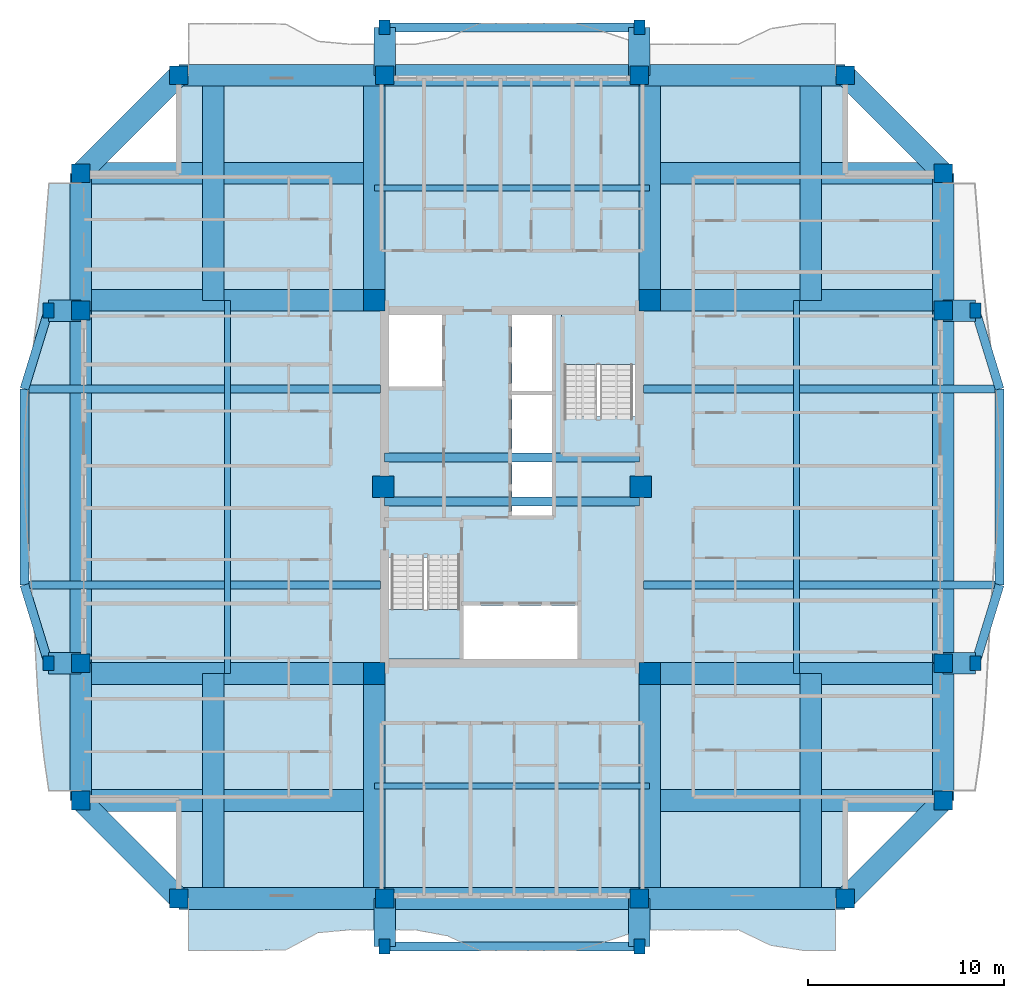
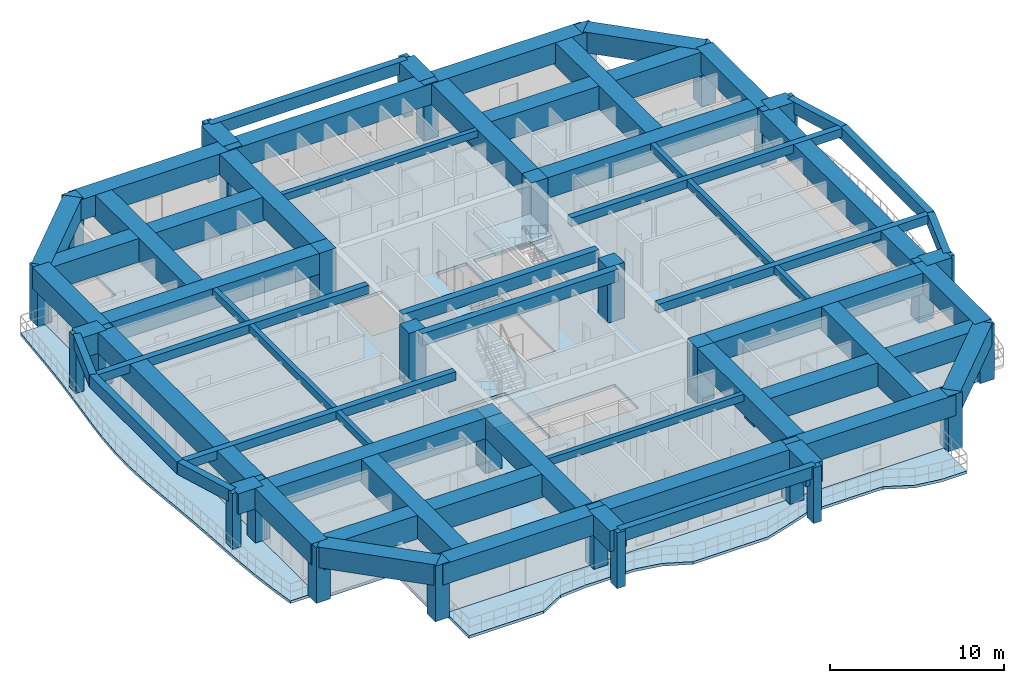
# One storey, part 1 of 15: 58 beams, 30 columns, 5 slabs, 2 elements without a shape of their own.
"""IFC4 building model written with IfcOpenShell, lengths in metres."""

from ifc_helpers import new_model, si_unit, direction, frame, origin, origin_2d, place, context, subcontext, project, spatial, polyline, rectangle, outline, extrude, source, transform, mapped, material, layer, layer_set, material_profile, profile_set, type_object, element, aggregate, save


model = new_model("IFC4")

# Units and contexts
model_context = context("Model", 3, precision=1e-05, world=origin(), true_north=direction((0.0, 1.0)))
body_context = subcontext(model_context, "Body", "Model", "MODEL_VIEW")
ifc_project = project(units=[si_unit("LENGTHUNIT", "METRE"), si_unit("AREAUNIT", "SQUARE_METRE"), si_unit("VOLUMEUNIT", "CUBIC_METRE"), si_unit("PLANEANGLEUNIT", "RADIAN"), si_unit("MASSUNIT", "GRAM", prefix="KILO")], contexts=[model_context])

# Site, building, storey
site_placement = place(None, origin())
site = spatial("IfcSite", under=ifc_project, at=site_placement, CompositionType="ELEMENT")
building_placement = place(site_placement, origin())
building = spatial("IfcBuilding", under=site, at=building_placement, Name="Saelheon Loggia Tower", CompositionType="ELEMENT")
storey_placement = place(building_placement, frame((0.0, 0.0, 169.0)))
storey = spatial("IfcBuildingStorey", under=building, at=storey_placement, Name="L53", CompositionType="ELEMENT", Elevation=169.0)

# Columns
ifc_material_1 = material(Name="Concrete C50/60", Category="concrete")
ifc_material_profile_1 = material_profile(ifc_material_1, rectangle(XDim=0.949951171875, YDim=0.949951171875, at=origin_2d()), Name="RC-950x950")
ifc_profile_set_1 = profile_set([ifc_material_profile_1], Name="Concrete C50/60")
column_type_1 = type_object("IfcColumnType", Name="Col_Perim_RC950", PredefinedType="COLUMN", material=ifc_profile_set_1)
shared_shape_1 = source(origin(), body_context, "Body", "SweptSolid", [
    extrude(rectangle(XDim=0.949951171875, YDim=0.949951171875, at=origin_2d()), origin(), (0.0, 0.0, 1.0), 3.89990234375),
])
for number, where, z_axis, x_axis, name in (
    (1, (21.0, 6.0, 0.0), (0.0, 0.0, 1.0), (1.0, 0.0, 0.0), "L53 Perimeter Column TP-S1"),
    (2, (31.5, 6.0, 0.0), (0.0, 0.0, 1.0), (1.0, 0.0, 0.0), "L53 Perimeter Column TP-SA"),
    (3, (44.5, 6.0, 0.0), (0.0, 0.0, 1.0), (1.0, 0.0, 0.0), "L53 Perimeter Column TP-SB"),
    (4, (55.0, 6.0, 0.0), (0.0, 0.0, 1.0), (1.0, 0.0, 0.0), "L53 Perimeter Column TP-S2"),
    (5, (60.0, 11.0, 0.0), (0.0, 0.0, 1.0), (1.0, 0.0, 0.0), "L53 Perimeter Column TP-E1"),
    (6, (60.0, 18.0, 0.0), (0.0, 0.0, 1.0), (1.0, 0.0, 0.0), "L53 Perimeter Column TP-EA"),
    (7, (60.0, 36.0, 0.0), (0.0, 0.0, 1.0), (1.0, 0.0, 0.0), "L53 Perimeter Column TP-EB"),
    (8, (60.0, 43.0, 0.0), (0.0, 0.0, 1.0), (1.0, 0.0, 0.0), "L53 Perimeter Column TP-E2"),
    (9, (55.0, 48.0, 0.0), (0.0, 0.0, 1.0), (1.0, 0.0, 0.0), "L53 Perimeter Column TP-N2"),
    (10, (44.5, 48.0, 0.0), (0.0, 0.0, 1.0), (1.0, 0.0, 0.0), "L53 Perimeter Column TP-NB"),
    (11, (31.5, 48.0, 0.0), (0.0, 0.0, 1.0), (1.0, 0.0, 0.0), "L53 Perimeter Column TP-NA"),
    (12, (21.0, 48.0, 0.0), (0.0, 0.0, 1.0), (1.0, 0.0, 0.0), "L53 Perimeter Column TP-N1"),
    (13, (16.0, 43.0, 0.0), (0.0, 0.0, 1.0), (1.0, 0.0, 0.0), "L53 Perimeter Column TP-W2"),
    (14, (16.0, 36.0, 0.0), (0.0, 0.0, 1.0), (1.0, 0.0, 0.0), "L53 Perimeter Column TP-WB"),
    (15, (16.0, 18.0, 0.0), (0.0, 0.0, 1.0), (1.0, 0.0, 0.0), "L53 Perimeter Column TP-WA"),
    (16, (16.0, 11.0, 0.0), (0.0, 0.0, 1.0), (1.0, 0.0, 0.0), "L53 Perimeter Column TP-W1"),
):
    element("IfcColumn", number, at=place(storey_placement, frame(where, z_axis=z_axis, x_axis=x_axis)), inside=storey, type_object=column_type_1, Name=name, PredefinedType="COLUMN", context=body_context, shape_type="MappedRepresentation", body=[
        mapped(shared_shape_1, transform((0.0, 0.0, 0.0), scale=1.0)),
    ])
ifc_material_2 = material(Name="Precast Concrete C45/55", Category="concrete")
ifc_material_profile_2 = material_profile(ifc_material_2, rectangle(XDim=0.550048828125, YDim=0.75, at=origin_2d()), Name="RC-550x750")
ifc_profile_set_2 = profile_set([ifc_material_profile_2], Name="Precast Concrete C45/55")
column_type_2 = type_object("IfcColumnType", Name="Col_Loggia_Pilaster_750", PredefinedType="PILASTER", material=ifc_profile_set_2)
shared_shape_2 = source(origin(), body_context, "Body", "SweptSolid", [
    extrude(rectangle(XDim=0.550048828125, YDim=0.75, at=origin_2d()), origin(), (0.0, 0.0, 1.0), 3.89990234375),
])
for number, where, z_axis, x_axis, name in (
    (17, (31.5, 3.550048828125, 0.0), (0.0, 0.0, 1.0), (1.0, 0.0, 0.0), "L53 Loggia Frame Pilaster LP-S1"),
    (18, (44.5, 3.550048828125, 0.0), (0.0, 0.0, 1.0), (1.0, 0.0, 0.0), "L53 Loggia Frame Pilaster LP-S2"),
    (19, (31.5, 50.449951171875, 0.0), (0.0, 0.0, 1.0), (1.0, 0.0, 0.0), "L53 Loggia Frame Pilaster LP-N1"),
    (20, (44.5, 50.449951171875, 0.0), (0.0, 0.0, 1.0), (1.0, 0.0, 0.0), "L53 Loggia Frame Pilaster LP-N2"),
    (21, (61.64990234375, 18.0, 0.0), (0.0, 0.0, 1.0), (1.0, 0.0, 0.0), "L53 Loggia Frame Pilaster LP-E1"),
    (22, (61.64990234375, 36.0, 0.0), (0.0, 0.0, 1.0), (1.0, 0.0, 0.0), "L53 Loggia Frame Pilaster LP-E2"),
    (23, (14.35009765625, 18.0, 0.0), (0.0, 0.0, 1.0), (1.0, 0.0, 0.0), "L53 Loggia Frame Pilaster LP-W1"),
    (24, (14.35009765625, 36.0, 0.0), (0.0, 0.0, 1.0), (1.0, 0.0, 0.0), "L53 Loggia Frame Pilaster LP-W2"),
):
    element("IfcColumn", number, at=place(storey_placement, frame(where, z_axis=z_axis, x_axis=x_axis)), inside=storey, type_object=column_type_2, Name=name, PredefinedType="PILASTER", context=body_context, shape_type="MappedRepresentation", body=[
        mapped(shared_shape_2, transform((0.0, 0.0, 0.0), scale=1.0)),
    ])
ifc_material_profile_3 = material_profile(ifc_material_1, rectangle(XDim=1.10009765625, YDim=1.10009765625, at=origin_2d()), Name="RC-1100x1100")
ifc_profile_set_3 = profile_set([ifc_material_profile_3], Name="Concrete C50/60")
column_type_3 = type_object("IfcColumnType", Name="Col_Core_RC1100", PredefinedType="COLUMN", material=ifc_profile_set_3)
shared_shape_3 = source(origin(), body_context, "Body", "SweptSolid", [
    extrude(rectangle(XDim=1.10009765625, YDim=1.10009765625, at=origin_2d()), origin(), (0.0, 0.0, 1.0), 3.89990234375),
])
for number, where, z_axis, x_axis, name in (
    (25, (30.97998046875, 17.47998046875, 0.0), (0.0, 0.0, 1.0), (1.0, 0.0, 0.0), "L53 Core Column CR-SW"),
    (26, (45.02001953125, 17.47998046875, 0.0), (0.0, 0.0, 1.0), (1.0, 0.0, 0.0), "L53 Core Column CR-SE"),
    (27, (30.97998046875, 36.52001953125, 0.0), (0.0, 0.0, 1.0), (1.0, 0.0, 0.0), "L53 Core Column CR-NW"),
    (28, (45.02001953125, 36.52001953125, 0.0), (0.0, 0.0, 1.0), (1.0, 0.0, 0.0), "L53 Core Column CR-NE"),
    (29, (31.419921875, 27.0, 0.0), (0.0, 0.0, 1.0), (1.0, 0.0, 0.0), "L53 Core Column CR-MW"),
    (30, (44.580078125, 27.0, 0.0), (0.0, 0.0, 1.0), (1.0, 0.0, 0.0), "L53 Core Column CR-ME"),
):
    element("IfcColumn", number, at=place(storey_placement, frame(where, z_axis=z_axis, x_axis=x_axis)), inside=storey, type_object=column_type_3, Name=name, PredefinedType="COLUMN", context=body_context, shape_type="MappedRepresentation", body=[
        mapped(shared_shape_3, transform((0.0, 0.0, 0.0), scale=1.0)),
    ])

# Beams
ifc_material_profile_4 = material_profile(ifc_material_1, rectangle(XDim=0.449951171875, YDim=0.85009765625, at=origin_2d()), Name="RC-450x850")
ifc_profile_set_4 = profile_set([ifc_material_profile_4], Name="Concrete C50/60")
beam_type_1 = type_object("IfcBeamType", Name="Beam_CoreLintel_RC450x850", PredefinedType="LINTEL", material=ifc_profile_set_4)
shared_shape_4 = source(origin(), body_context, "Body", "SweptSolid", [
    extrude(rectangle(XDim=0.449951171875, YDim=0.85009765625, at=origin_2d()), origin(), (0.0, 0.0, 1.0), 13.0),
])
for number, where, z_axis, x_axis, name in (
    (31, (31.5, 26.25, 3.47509765625), (1.0, 0.0, 0.0), (0.0, 1.0, 0.0), "L53 Core Coupling Lintel 1"),
    (32, (31.5, 28.5, 3.47509765625), (1.0, 0.0, 0.0), (0.0, 1.0, 0.0), "L53 Core Coupling Lintel 2"),
):
    element("IfcBeam", number, at=place(storey_placement, frame(where, z_axis=z_axis, x_axis=x_axis)), inside=storey, type_object=beam_type_1, Name=name, PredefinedType="LINTEL", context=body_context, shape_type="MappedRepresentation", body=[
        mapped(shared_shape_4, transform((0.0, 0.0, 0.0), scale=1.0)),
    ])
ifc_material_profile_5 = material_profile(ifc_material_2, rectangle(XDim=0.449951171875, YDim=0.85009765625, at=origin_2d()), Name="RC-450x850")
ifc_profile_set_5 = profile_set([ifc_material_profile_5], Name="Precast Concrete C45/55")
beam_type_2 = type_object("IfcBeamType", Name="Beam_LoggiaSpandrel_RC450x850", PredefinedType="SPANDREL", material=ifc_profile_set_5)
for number, where, z_axis, x_axis, name in (
    (33, (31.5, 3.550048828125, 3.47509765625), (1.0, 0.0, 0.0), (0.0, 1.0, 0.0), "L53 Loggia Spandrel Beam S"),
    (34, (31.5, 50.449951171875, 3.47509765625), (1.0, 0.0, 0.0), (0.0, 1.0, 0.0), "L53 Loggia Spandrel Beam N"),
):
    element("IfcBeam", number, at=place(storey_placement, frame(where, z_axis=z_axis, x_axis=x_axis)), inside=storey, type_object=beam_type_2, Name=name, PredefinedType="SPANDREL", context=body_context, shape_type="MappedRepresentation", body=[
        mapped(shared_shape_4, transform((0.0, 0.0, 0.0), scale=1.0)),
    ])
ifc_material_profile_6 = material_profile(ifc_material_1, rectangle(XDim=1.10009765625, YDim=1.449951171875, at=origin_2d()), Name="RC-1100x1450")
ifc_profile_set_6 = profile_set([ifc_material_profile_6], Name="Concrete C50/60")
beam_type_3 = type_object("IfcBeamType", Name="Beam_PerimTransfer_RC1100x1450", PredefinedType="BEAM", material=ifc_profile_set_6)
shared_shape_5 = source(origin(), body_context, "Body", "SweptSolid", [
    extrude(rectangle(XDim=1.10009765625, YDim=1.449951171875, at=origin_2d()), origin(), (0.0, 0.0, 1.0), 7.0),
])
for number, where, z_axis, x_axis, name in (
    (35, (60.0, 11.0, 3.175048828125), (0.0, 1.0, 0.0), (-1.0, 0.0, 0.0), "L53 Perimeter Frame Girder 05"),
    (36, (60.0, 36.0, 3.175048828125), (0.0, 1.0, 0.0), (-1.0, 0.0, 0.0), "L53 Perimeter Frame Girder 07"),
    (37, (16.0, 43.0, 3.175048828125), (0.0, -1.0, 0.0), (1.0, 0.0, 0.0), "L53 Perimeter Frame Girder 13"),
    (38, (16.0, 18.0, 3.175048828125), (0.0, -1.0, 0.0), (1.0, 0.0, 0.0), "L53 Perimeter Frame Girder 15"),
):
    element("IfcBeam", number, at=place(storey_placement, frame(where, z_axis=z_axis, x_axis=x_axis)), inside=storey, type_object=beam_type_3, Name=name, PredefinedType="BEAM", context=body_context, shape_type="MappedRepresentation", body=[
        mapped(shared_shape_5, transform((0.0, 0.0, 0.0), scale=1.0)),
    ])
shared_shape_6 = source(origin(), body_context, "Body", "SweptSolid", [
    extrude(rectangle(XDim=1.10009765625, YDim=1.449951171875, at=origin_2d()), origin(), (0.0, 0.0, 1.0), 2.449951171875),
])
for number, where, z_axis, x_axis, name in (
    (39, (31.5, 6.0, 3.175048828125), (0.0, -1.0, 0.0), (1.0, 0.0, 0.0), "L53 Loggia Frame Tie Beam LP-S1"),
    (40, (44.5, 6.0, 3.175048828125), (0.0, -1.0, 0.0), (1.0, 0.0, 0.0), "L53 Loggia Frame Tie Beam LP-S2"),
    (41, (31.5, 48.0, 3.175048828125), (0.0, 1.0, 0.0), (-1.0, 0.0, 0.0), "L53 Loggia Frame Tie Beam LP-N1"),
    (42, (44.5, 48.0, 3.175048828125), (0.0, 1.0, 0.0), (-1.0, 0.0, 0.0), "L53 Loggia Frame Tie Beam LP-N2"),
):
    element("IfcBeam", number, at=place(storey_placement, frame(where, z_axis=z_axis, x_axis=x_axis)), inside=storey, type_object=beam_type_3, Name=name, PredefinedType="BEAM", context=body_context, shape_type="MappedRepresentation", body=[
        mapped(shared_shape_6, transform((0.0, 0.0, 0.0), scale=1.0)),
    ])
ifc_material_3 = material(Name="Concrete C40/50", Category="concrete")
ifc_material_profile_7 = material_profile(ifc_material_3, rectangle(XDim=0.300048828125, YDim=0.5, at=origin_2d()), Name="RC-300x500")
ifc_profile_set_7 = profile_set([ifc_material_profile_7], Name="Concrete C40/50")
beam_type_4 = type_object("IfcBeamType", Name="Beam_Joist_RC300x500", PredefinedType="JOIST", material=ifc_profile_set_7)
shared_shape_7 = source(origin(), body_context, "Body", "SweptSolid", [
    extrude(rectangle(XDim=0.300048828125, YDim=0.5, at=origin_2d()), origin(), (0.0, 0.0, 1.0), 14.0400390625),
])
for number, where, z_axis, x_axis, name in (
    (43, (30.97998046875, 11.739990234375, 3.64990234375), (1.0, 0.0, 0.0), (0.0, 1.0, 0.0), "L53 South Floor Joist"),
    (44, (30.97998046875, 42.260009765625, 3.64990234375), (1.0, 0.0, 0.0), (0.0, 1.0, 0.0), "L53 North Floor Joist"),
):
    element("IfcBeam", number, at=place(storey_placement, frame(where, z_axis=z_axis, x_axis=x_axis)), inside=storey, type_object=beam_type_4, Name=name, PredefinedType="JOIST", context=body_context, shape_type="MappedRepresentation", body=[
        mapped(shared_shape_7, transform((0.0, 0.0, 0.0), scale=1.0)),
    ])
shared_shape_8 = source(origin(), body_context, "Body", "SweptSolid", [
    extrude(rectangle(XDim=0.300048828125, YDim=0.5, at=origin_2d()), origin(), (0.0, 0.0, 1.0), 19.0400390625),
])
for number, where, z_axis, x_axis, name in (
    (45, (23.489990234375, 17.47998046875, 3.64990234375), (0.0, 1.0, 0.0), (-1.0, 0.0, 0.0), "L53 West Floor Joist"),
    (46, (52.510009765625, 17.47998046875, 3.64990234375), (0.0, 1.0, 0.0), (-1.0, 0.0, 0.0), "L53 East Floor Joist"),
):
    element("IfcBeam", number, at=place(storey_placement, frame(where, z_axis=z_axis, x_axis=x_axis)), inside=storey, type_object=beam_type_4, Name=name, PredefinedType="JOIST", context=body_context, shape_type="MappedRepresentation", body=[
        mapped(shared_shape_8, transform((0.0, 0.0, 0.0), scale=1.0)),
    ])
shared_shape_9 = source(origin(), body_context, "Body", "SweptSolid", [
    extrude(rectangle(XDim=1.10009765625, YDim=1.449951171875, at=origin_2d()), origin(), (0.0, 0.0, 1.0), 10.5),
])
for number, where, z_axis, x_axis, name in (
    (47, (21.0, 6.0, 3.175048828125), (1.0, 0.0, 0.0), (0.0, 1.0, 0.0), "L53 Perimeter Frame Girder 01"),
    (48, (44.5, 6.0, 3.175048828125), (1.0, 0.0, 0.0), (0.0, 1.0, 0.0), "L53 Perimeter Frame Girder 03"),
    (49, (55.0, 48.0, 3.175048828125), (-1.0, 0.0, 0.0), (0.0, -1.0, 0.0), "L53 Perimeter Frame Girder 09"),
    (50, (31.5, 48.0, 3.175048828125), (-1.0, 0.0, 0.0), (0.0, -1.0, 0.0), "L53 Perimeter Frame Girder 11"),
):
    element("IfcBeam", number, at=place(storey_placement, frame(where, z_axis=z_axis, x_axis=x_axis)), inside=storey, type_object=beam_type_3, Name=name, PredefinedType="BEAM", context=body_context, shape_type="MappedRepresentation", body=[
        mapped(shared_shape_9, transform((0.0, 0.0, 0.0), scale=1.0)),
    ])
shared_shape_10 = source(origin(), body_context, "Body", "SweptSolid", [
    extrude(rectangle(XDim=1.10009765625, YDim=1.449951171875, at=origin_2d()), origin(), (0.0, 0.0, 1.0), 13.0),
])
for number, where, z_axis, x_axis, name in (
    (51, (31.5, 6.0, 3.175048828125), (1.0, 0.0, 0.0), (0.0, 1.0, 0.0), "L53 Perimeter Frame Girder 02"),
    (52, (44.5, 48.0, 3.175048828125), (-1.0, 0.0, 0.0), (0.0, -1.0, 0.0), "L53 Perimeter Frame Girder 10"),
):
    element("IfcBeam", number, at=place(storey_placement, frame(where, z_axis=z_axis, x_axis=x_axis)), inside=storey, type_object=beam_type_3, Name=name, PredefinedType="BEAM", context=body_context, shape_type="MappedRepresentation", body=[
        mapped(shared_shape_10, transform((0.0, 0.0, 0.0), scale=1.0)),
    ])
shared_shape_11 = source(origin(), body_context, "Body", "SweptSolid", [
    extrude(rectangle(XDim=1.10009765625, YDim=1.449951171875, at=origin_2d()), origin(), (0.0, 0.0, 1.0), 7.071044921875),
])
for number, where, z_axis, x_axis, name in (
    (53, (55.0, 6.0, 3.175048828125), (0.707106781187, 0.707106781187, 0.0), (-0.707106781187, 0.707106781187, 0.0), "L53 Perimeter Frame Girder 04"),
    (54, (60.0, 43.0, 3.175048828125), (-0.707106781187, 0.707106781187, 0.0), (-0.707106781187, -0.707106781187, 0.0), "L53 Perimeter Frame Girder 08"),
    (55, (21.0, 48.0, 3.175048828125), (-0.707106781187, -0.707106781187, 0.0), (0.707106781187, -0.707106781187, 0.0), "L53 Perimeter Frame Girder 12"),
    (56, (16.0, 11.0, 3.175048828125), (0.707106781187, -0.707106781187, 0.0), (0.707106781187, 0.707106781187, 0.0), "L53 Perimeter Frame Girder 16"),
):
    element("IfcBeam", number, at=place(storey_placement, frame(where, z_axis=z_axis, x_axis=x_axis)), inside=storey, type_object=beam_type_3, Name=name, PredefinedType="BEAM", context=body_context, shape_type="MappedRepresentation", body=[
        mapped(shared_shape_11, transform((0.0, 0.0, 0.0), scale=1.0)),
    ])
shared_shape_12 = source(origin(), body_context, "Body", "SweptSolid", [
    extrude(rectangle(XDim=1.10009765625, YDim=1.449951171875, at=origin_2d()), origin(), (0.0, 0.0, 1.0), 18.0),
])
for number, where, z_axis, x_axis, name in (
    (57, (60.0, 18.0, 3.175048828125), (0.0, 1.0, 0.0), (-1.0, 0.0, 0.0), "L53 Perimeter Frame Girder 06"),
    (58, (16.0, 36.0, 3.175048828125), (0.0, -1.0, 0.0), (1.0, 0.0, 0.0), "L53 Perimeter Frame Girder 14"),
):
    element("IfcBeam", number, at=place(storey_placement, frame(where, z_axis=z_axis, x_axis=x_axis)), inside=storey, type_object=beam_type_3, Name=name, PredefinedType="BEAM", context=body_context, shape_type="MappedRepresentation", body=[
        mapped(shared_shape_12, transform((0.0, 0.0, 0.0), scale=1.0)),
    ])
ifc_material_profile_8 = material_profile(ifc_material_1, rectangle(XDim=1.10009765625, YDim=1.449951171875, at=origin_2d()), Name="RC-1100x1450")
ifc_profile_set_8 = profile_set([ifc_material_profile_8], Name="Concrete C50/60")
beam_type_5 = type_object("IfcBeamType", Name="Beam_Transfer_RC1100x1450", PredefinedType="BEAM", material=ifc_profile_set_8)
shared_shape_13 = source(origin(), body_context, "Body", "SweptSolid", [
    extrude(rectangle(XDim=1.10009765625, YDim=1.449951171875, at=origin_2d()), origin(), (0.0, 0.0, 1.0), 11.47998046875),
])
for number, where, z_axis, x_axis, name in (
    (59, (30.97998046875, 17.47998046875, 3.175048828125), (0.0, -1.0, 0.0), (1.0, 0.0, 0.0), "L53 Radial Floor Girder RAD-SW-S"),
    (60, (45.02001953125, 17.47998046875, 3.175048828125), (0.0, -1.0, 0.0), (1.0, 0.0, 0.0), "L53 Radial Floor Girder RAD-SE-S"),
    (61, (30.97998046875, 36.52001953125, 3.175048828125), (0.0, 1.0, 0.0), (-1.0, 0.0, 0.0), "L53 Radial Floor Girder RAD-NW-N"),
    (62, (45.02001953125, 36.52001953125, 3.175048828125), (0.0, 1.0, 0.0), (-1.0, 0.0, 0.0), "L53 Radial Floor Girder RAD-NE-N"),
):
    element("IfcBeam", number, at=place(storey_placement, frame(where, z_axis=z_axis, x_axis=x_axis)), inside=storey, type_object=beam_type_5, Name=name, PredefinedType="BEAM", context=body_context, shape_type="MappedRepresentation", body=[
        mapped(shared_shape_13, transform((0.0, 0.0, 0.0), scale=1.0)),
    ])
shared_shape_14 = source(origin(), body_context, "Body", "SweptSolid", [
    extrude(rectangle(XDim=1.10009765625, YDim=1.449951171875, at=origin_2d()), origin(), (0.0, 0.0, 1.0), 14.97998046875),
])
for number, where, z_axis, x_axis, name in (
    (63, (30.97998046875, 17.47998046875, 3.175048828125), (-1.0, 0.0, 0.0), (0.0, -1.0, 0.0), "L53 Radial Floor Girder RAD-SW-W"),
    (64, (30.97998046875, 36.52001953125, 3.175048828125), (-1.0, 0.0, 0.0), (0.0, -1.0, 0.0), "L53 Radial Floor Girder RAD-NW-W"),
    (65, (45.02001953125, 17.47998046875, 3.175048828125), (1.0, 0.0, 0.0), (0.0, 1.0, 0.0), "L53 Radial Floor Girder RAD-SE-E"),
    (66, (45.02001953125, 36.52001953125, 3.175048828125), (1.0, 0.0, 0.0), (0.0, 1.0, 0.0), "L53 Radial Floor Girder RAD-NE-E"),
):
    element("IfcBeam", number, at=place(storey_placement, frame(where, z_axis=z_axis, x_axis=x_axis)), inside=storey, type_object=beam_type_5, Name=name, PredefinedType="BEAM", context=body_context, shape_type="MappedRepresentation", body=[
        mapped(shared_shape_14, transform((0.0, 0.0, 0.0), scale=1.0)),
    ])
ifc_material_profile_9 = material_profile(ifc_material_2, rectangle(XDim=0.39990234375, YDim=0.60009765625, at=origin_2d()), Name="RC-400x600")
ifc_profile_set_9 = profile_set([ifc_material_profile_9], Name="Precast Concrete C45/55")
beam_type_6 = type_object("IfcBeamType", Name="Beam_LoggiaTie_RC400x600", PredefinedType="BEAM", material=ifc_profile_set_9)
shared_shape_15 = source(origin(), body_context, "Body", "SweptSolid", [
    extrude(rectangle(XDim=0.39990234375, YDim=0.60009765625, at=origin_2d()), origin(), (0.0, 0.0, 1.0), 18.159912109375),
])
for number, where, z_axis, x_axis, name in (
    (67, (44.719970703125, 22.0, 3.60009765625), (1.0, 0.0, 0.0), (0.0, 1.0, 0.0), "L53 Curved Facade Outrigger Beam E 1"),
    (68, (44.719970703125, 32.0, 3.60009765625), (1.0, 0.0, 0.0), (0.0, 1.0, 0.0), "L53 Curved Facade Outrigger Beam E 2"),
    (69, (31.280029296875, 22.0, 3.60009765625), (-1.0, 0.0, 0.0), (0.0, -1.0, 0.0), "L53 Curved Facade Outrigger Beam W 1"),
    (70, (31.280029296875, 32.0, 3.60009765625), (-1.0, 0.0, 0.0), (0.0, -1.0, 0.0), "L53 Curved Facade Outrigger Beam W 2"),
):
    element("IfcBeam", number, at=place(storey_placement, frame(where, z_axis=z_axis, x_axis=x_axis)), inside=storey, type_object=beam_type_6, Name=name, PredefinedType="BEAM", context=body_context, shape_type="MappedRepresentation", body=[
        mapped(shared_shape_15, transform((0.0, 0.0, 0.0), scale=1.0)),
    ])
shared_shape_16 = source(origin(), body_context, "Body", "SweptSolid", [
    extrude(rectangle(XDim=0.449951171875, YDim=0.85009765625, at=origin_2d()), origin(), (0.0, 0.0, 1.0), 4.184814453125),
])
for number, where, z_axis, x_axis, name in (
    (71, (61.64990234375, 18.0, 3.47509765625), (0.293913664135, 0.955831971653, 0.0), (-0.955831971653, 0.293913664135, 0.0), "L53 Curved Loggia Spandrel E 1"),
    (72, (62.8798828125, 32.0, 3.47509765625), (-0.293913664135, 0.955831971653, 0.0), (-0.955831971653, -0.293913664135, 0.0), "L53 Curved Loggia Spandrel E 3"),
    (73, (14.35009765625, 18.0, 3.47509765625), (-0.293913664135, 0.955831971653, 0.0), (-0.955831971653, -0.293913664135, 0.0), "L53 Curved Loggia Spandrel W 1"),
    (74, (13.1201171875, 32.0, 3.47509765625), (0.293913664135, 0.955831971653, 0.0), (-0.955831971653, 0.293913664135, 0.0), "L53 Curved Loggia Spandrel W 3"),
):
    element("IfcBeam", number, at=place(storey_placement, frame(where, z_axis=z_axis, x_axis=x_axis)), inside=storey, type_object=beam_type_2, Name=name, PredefinedType="SPANDREL", context=body_context, shape_type="MappedRepresentation", body=[
        mapped(shared_shape_16, transform((0.0, 0.0, 0.0), scale=1.0)),
    ])
shared_shape_17 = source(origin(), body_context, "Body", "SweptSolid", [
    extrude(rectangle(XDim=0.449951171875, YDim=0.85009765625, at=origin_2d()), origin(), (0.0, 0.0, 1.0), 10.0),
])
for number, where, z_axis, x_axis, name in (
    (75, (62.8798828125, 22.0, 3.47509765625), (0.0, 1.0, 0.0), (-1.0, 0.0, 0.0), "L53 Curved Loggia Spandrel E 2"),
    (76, (13.1201171875, 22.0, 3.47509765625), (0.0, 1.0, 0.0), (-1.0, 0.0, 0.0), "L53 Curved Loggia Spandrel W 2"),
):
    element("IfcBeam", number, at=place(storey_placement, frame(where, z_axis=z_axis, x_axis=x_axis)), inside=storey, type_object=beam_type_2, Name=name, PredefinedType="SPANDREL", context=body_context, shape_type="MappedRepresentation", body=[
        mapped(shared_shape_17, transform((0.0, 0.0, 0.0), scale=1.0)),
    ])
ifc_material_profile_10 = material_profile(ifc_material_1, rectangle(XDim=1.10009765625, YDim=1.64990234375, at=origin_2d()), Name="RC-1100x1650")
ifc_profile_set_10 = profile_set([ifc_material_profile_10], Name="Concrete C50/60")
beam_type_7 = type_object("IfcBeamType", Name="Beam_MegaTransfer_RC1100x1650", PredefinedType="BEAM", material=ifc_profile_set_10)
shared_shape_18 = source(origin(), body_context, "Body", "SweptSolid", [
    extrude(rectangle(XDim=1.10009765625, YDim=1.64990234375, at=origin_2d()), origin(), (0.0, 0.0, 1.0), 15.5),
])
for number, where, z_axis, x_axis, name in (
    (77, (16.0, 11.0, 3.074951171875), (1.0, 0.0, 0.0), (0.0, 1.0, 0.0), "TG-L53-SH-SW"),
    (78, (16.0, 43.0, 3.074951171875), (1.0, 0.0, 0.0), (0.0, 1.0, 0.0), "TG-L53-SH-NW"),
    (79, (44.5, 11.0, 3.074951171875), (1.0, 0.0, 0.0), (0.0, 1.0, 0.0), "TG-L53-SH-SE"),
    (80, (44.5, 43.0, 3.074951171875), (1.0, 0.0, 0.0), (0.0, 1.0, 0.0), "TG-L53-SH-NE"),
):
    element("IfcBeam", number, at=place(storey_placement, frame(where, z_axis=z_axis, x_axis=x_axis)), inside=storey, type_object=beam_type_7, Name=name, PredefinedType="BEAM", context=body_context, shape_type="MappedRepresentation", body=[
        mapped(shared_shape_18, transform((0.0, 0.0, 0.0), scale=1.0)),
    ])
shared_shape_19 = source(origin(), body_context, "Body", "SweptSolid", [
    extrude(rectangle(XDim=1.10009765625, YDim=1.64990234375, at=origin_2d()), origin(), (0.0, 0.0, 1.0), 11.47998046875),
])
for number, where, z_axis, x_axis, name in (
    (81, (22.75, 6.0, 3.074951171875), (0.0, 1.0, 0.0), (-1.0, 0.0, 0.0), "TG-L53-NL-SW"),
    (82, (53.25, 6.0, 3.074951171875), (0.0, 1.0, 0.0), (-1.0, 0.0, 0.0), "TG-L53-NL-SE"),
    (83, (22.75, 36.52001953125, 3.074951171875), (0.0, 1.0, 0.0), (-1.0, 0.0, 0.0), "TG-L53-NL-NW"),
    (84, (53.25, 36.52001953125, 3.074951171875), (0.0, 1.0, 0.0), (-1.0, 0.0, 0.0), "TG-L53-NL-NE"),
):
    element("IfcBeam", number, at=place(storey_placement, frame(where, z_axis=z_axis, x_axis=x_axis)), inside=storey, type_object=beam_type_7, Name=name, PredefinedType="BEAM", context=body_context, shape_type="MappedRepresentation", body=[
        mapped(shared_shape_19, transform((0.0, 0.0, 0.0), scale=1.0)),
    ])
shared_shape_20 = source(origin(), body_context, "Body", "SweptSolid", [
    extrude(rectangle(XDim=1.10009765625, YDim=1.449951171875, at=origin_2d()), origin(), (0.0, 0.0, 1.0), 1.64990234375),
])
for number, where, z_axis, x_axis, name in (
    (85, (60.0, 18.0, 3.175048828125), (1.0, 0.0, 0.0), (0.0, 1.0, 0.0), "L53 Loggia Frame Tie Beam LP-E1"),
    (86, (60.0, 36.0, 3.175048828125), (1.0, 0.0, 0.0), (0.0, 1.0, 0.0), "L53 Loggia Frame Tie Beam LP-E2"),
    (87, (16.0, 18.0, 3.175048828125), (-1.0, 0.0, 0.0), (0.0, -1.0, 0.0), "L53 Loggia Frame Tie Beam LP-W1"),
    (88, (16.0, 36.0, 3.175048828125), (-1.0, 0.0, 0.0), (0.0, -1.0, 0.0), "L53 Loggia Frame Tie Beam LP-W2"),
):
    element("IfcBeam", number, at=place(storey_placement, frame(where, z_axis=z_axis, x_axis=x_axis)), inside=storey, type_object=beam_type_3, Name=name, PredefinedType="BEAM", context=body_context, shape_type="MappedRepresentation", body=[
        mapped(shared_shape_20, transform((0.0, 0.0, 0.0), scale=1.0)),
    ])

# Slabs
ifc_layer_1 = layer(ifc_material_2, 0.18994140625)
ifc_layer_set_1 = layer_set([ifc_layer_1], Name="Precast Concrete C45/55")
slab_type_1 = type_object("IfcSlabType", Name="Slab_Loggia_Ext_190", PredefinedType="FLOOR", material=ifc_layer_set_1)
slab_1_placement = place(storey_placement, frame((0.0, 0.0, -0.18994140625)))
element("IfcSlab", 89, at=slab_1_placement, inside=storey, type_object=slab_type_1, Name="L53 Loggia Balcony Slab S", PredefinedType="FLOOR", context=body_context, shape_type="SweptSolid", body=[
    extrude(outline(polyline([(21.5, 3.35009765625), (23.14990234375, 3.35009765625), (24.800048828125, 3.35009765625), (26.449951171875, 3.371337890625), (28.10009765625, 4.251708984375), (29.75, 4.39990234375), (31.39990234375, 4.39990234375), (33.050048828125, 4.39990234375), (34.699951171875, 4.09326171875), (36.35009765625, 3.35009765625), (38.0, 3.35009765625), (39.64990234375, 3.35009765625), (41.300048828125, 3.35009765625), (42.949951171875, 3.85009765625), (44.60009765625, 4.39990234375), (46.25, 4.39990234375), (47.89990234375, 4.39990234375), (49.550048828125, 4.39990234375), (51.199951171875, 3.606689453125), (52.85009765625, 3.35009765625), (54.5, 3.35009765625), (54.5, 6.0), (21.5, 6.0), (21.5, 3.35009765625)])), origin(), (0.0, 0.0, 1.0), 0.18994140625),
])
slab_2_placement = place(storey_placement, frame((0.0, 0.0, -0.18994140625)))
element("IfcSlab", 90, at=slab_2_placement, inside=storey, type_object=slab_type_1, Name="L53 Loggia Balcony Slab W", PredefinedType="FLOOR", context=body_context, shape_type="SweptSolid", body=[
    extrude(outline(polyline([(16.0, 11.5), (16.0, 42.5), (14.372314453125, 42.5), (14.238525390625, 40.868408203125), (14.11279296875, 39.23681640625), (13.969482421875, 37.605224609375), (13.794921875, 35.9736328125), (13.59423828125, 34.342041015625), (13.39208984375, 32.71044921875), (13.22314453125, 31.078857421875), (13.119873046875, 29.447509765625), (13.098876953125, 27.81591796875), (13.15576171875, 26.18408203125), (13.266845703125, 24.552490234375), (13.399169921875, 22.921142578125), (13.5234375, 21.28955078125), (13.62646484375, 19.657958984375), (13.714599609375, 18.0263671875), (13.81005859375, 16.394775390625), (13.9404296875, 14.76318359375), (14.125244140625, 13.131591796875), (14.364990234375, 11.5), (16.0, 11.5)])), origin(), (0.0, 0.0, 1.0), 0.18994140625),
])

# Stair, slab
stair_type = type_object("IfcStairType", Name="Stair_Escape_Core", PredefinedType="HALF_TURN_STAIR", material=ifc_material_3)
stair_1_placement = place(storey_placement, origin())
stair_1 = element("IfcStair", 91, at=stair_1_placement, inside=storey, type_object=stair_type, Name="L53 Special Escape Stair ST1", PredefinedType="HALF_TURN_STAIR")
ifc_layer_2 = layer(ifc_material_3, 0.199951171875)
ifc_layer_set_2 = layer_set([ifc_layer_2], Name="Concrete C40/50")
slab_type_2 = type_object("IfcSlabType", Name="Slab_StairLanding_ST1", PredefinedType="LANDING", material=ifc_layer_set_2)
slab_3_placement = place(storey_placement, frame((0.0, 0.0, 1.75)))
slab_3 = element("IfcSlab", 92, at=slab_3_placement, type_object=slab_type_2, Name="ST1 landing 1", PredefinedType="LANDING", context=body_context, shape_type="SweptSolid", body=[
    extrude(outline(polyline([(31.7099609375, 20.75), (31.7099609375, 18.2099609375), (35.469970703125, 18.2099609375), (35.469970703125, 20.75), (31.7099609375, 20.75)])), origin(), (0.0, 0.0, 1.0), 0.199951171875),
])
aggregate(stair_1, [slab_3])

stair_2_placement = place(storey_placement, origin())
stair_2 = element("IfcStair", 93, at=stair_2_placement, inside=storey, type_object=stair_type, Name="L53 Special Escape Stair ST2", PredefinedType="HALF_TURN_STAIR")
ifc_layer_3 = layer(ifc_material_3, 0.199951171875)
ifc_layer_set_3 = layer_set([ifc_layer_3], Name="Concrete C40/50")
slab_type_3 = type_object("IfcSlabType", Name="Slab_StairLanding_ST2", PredefinedType="LANDING", material=ifc_layer_set_3)
slab_4_placement = place(storey_placement, frame((0.0, 0.0, 1.75)))
slab_4 = element("IfcSlab", 94, at=slab_4_placement, type_object=slab_type_3, Name="ST2 landing 1", PredefinedType="LANDING", context=body_context, shape_type="SweptSolid", body=[
    extrude(outline(polyline([(44.2900390625, 33.25), (44.2900390625, 35.7900390625), (40.530029296875, 35.7900390625), (40.530029296875, 33.25), (44.2900390625, 33.25)])), origin(), (0.0, 0.0, 1.0), 0.199951171875),
])
aggregate(stair_2, [slab_4])

# Slab
ifc_layer_4 = layer(ifc_material_3, 0.2099609375)
ifc_layer_set_4 = layer_set([ifc_layer_4], Name="Concrete C40/50")
slab_type_4 = type_object("IfcSlabType", Name="Slab_Tower_210", PredefinedType="FLOOR", material=ifc_layer_set_4)
slab_5_placement = place(storey_placement, frame((0.0, 0.0, -0.2099609375)))
element("IfcSlab", 95, at=slab_5_placement, inside=storey, type_object=slab_type_4, Name="L53 Tower Floor Slab", PredefinedType="FLOOR", context=body_context, shape_type="SweptSolid", body=[
    extrude(outline(polyline([(21.0, 6.0), (55.0, 6.0), (55.0, 11.0), (60.0, 11.0), (60.0, 43.0), (55.0, 43.0), (55.0, 48.0), (21.0, 48.0), (21.0, 43.0), (16.0, 43.0), (16.0, 11.0), (21.0, 11.0), (21.0, 6.0)]), holes=[polyline([(31.699951171875, 23.409912109375), (31.699951171875, 18.199951171875), (35.47998046875, 18.199951171875), (35.47998046875, 23.409912109375), (31.699951171875, 23.409912109375)]), polyline([(44.300048828125, 30.590087890625), (44.300048828125, 35.800048828125), (40.52001953125, 35.800048828125), (40.52001953125, 30.590087890625), (44.300048828125, 30.590087890625)]), polyline([(35.530029296875, 18.22509765625), (41.35009765625, 18.22509765625), (41.35009765625, 20.9599609375), (35.530029296875, 20.9599609375), (35.530029296875, 18.22509765625)]), polyline([(31.72509765625, 32.1201171875), (34.419921875, 32.1201171875), (34.419921875, 35.77490234375), (31.72509765625, 35.77490234375), (31.72509765625, 32.1201171875)]), polyline([(38.0, 31.89990234375), (40.050048828125, 31.89990234375), (40.050048828125, 35.77490234375), (38.0, 35.77490234375), (38.0, 31.89990234375)]), polyline([(38.0, 25.5400390625), (40.050048828125, 25.5400390625), (40.050048828125, 31.699951171875), (38.0, 31.699951171875), (38.0, 25.5400390625)])]), origin(), (0.0, 0.0, 1.0), 0.2099609375),
])

save(model, "model.ifc")
